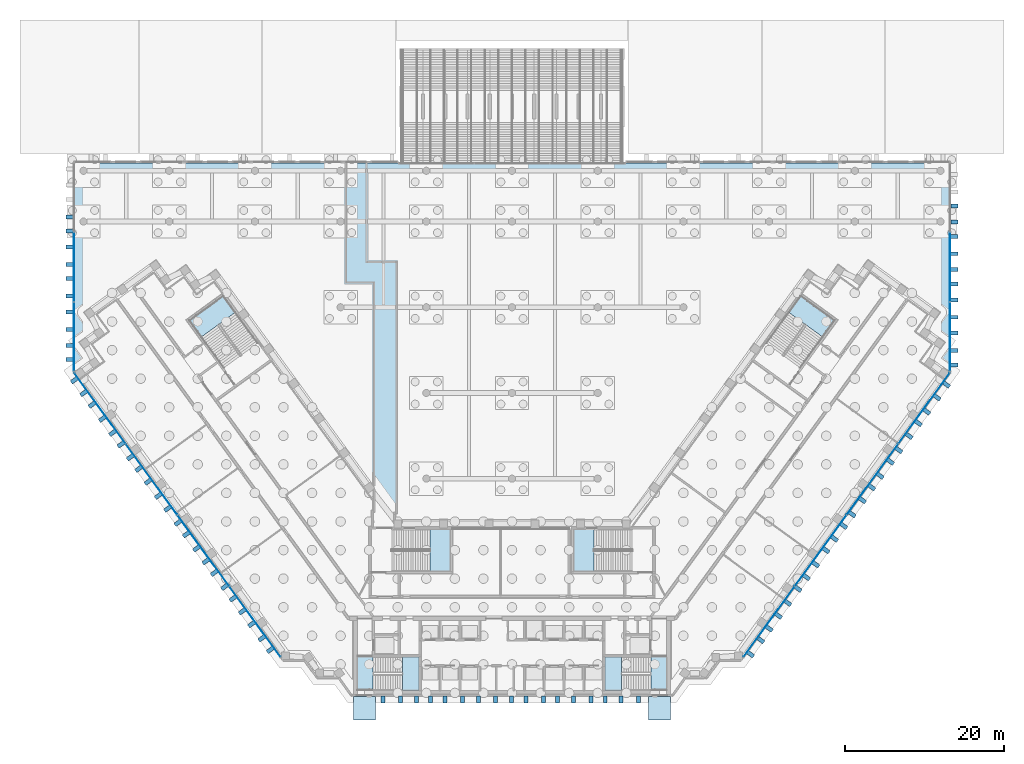
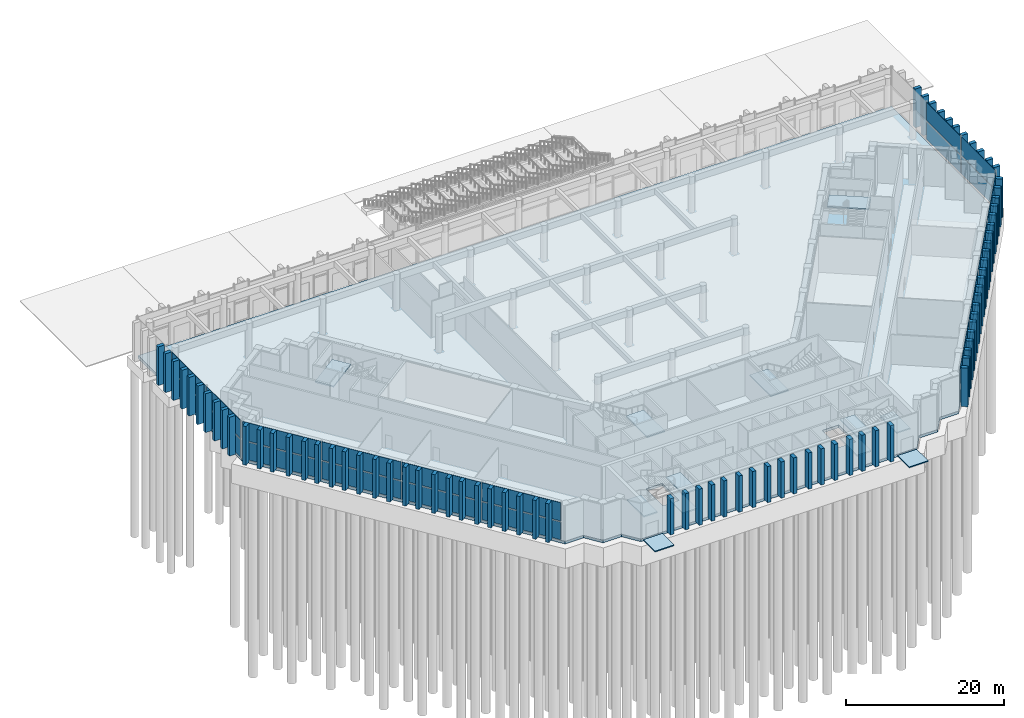
# One storey, part 13 of 32: 106 plates, 13 slabs, 10 elements without a shape of their own.
"""IFC4 building model written with IfcOpenShell, lengths in metres."""

from ifc_helpers import new_model, si_unit, direction, frame, origin, origin_2d, place, context, subcontext, project, spatial, polyline, rectangle, outline, extrude, material, layer, layer_set, type_object, element, aggregate, save


model = new_model("IFC4")

# Units and contexts
model_context = context("Model", 3, precision=1e-05, world=origin(), true_north=direction((0.0, 1.0)))
body_context = subcontext(model_context, "Body", "Model", "MODEL_VIEW")
ifc_project = project(units=[si_unit("LENGTHUNIT", "METRE"), si_unit("AREAUNIT", "SQUARE_METRE"), si_unit("VOLUMEUNIT", "CUBIC_METRE"), si_unit("PLANEANGLEUNIT", "RADIAN"), si_unit("MASSUNIT", "GRAM", prefix="KILO")], contexts=[model_context])

# Site, building, storey
site_placement = place(None, origin())
site = spatial("IfcSite", under=ifc_project, at=site_placement, CompositionType="ELEMENT")
building_placement = place(site_placement, origin())
building = spatial("IfcBuilding", under=site, at=building_placement, Name="Quipu Civic Tower", CompositionType="ELEMENT")
storey_placement = place(building_placement, origin())
storey = spatial("IfcBuildingStorey", under=building, at=storey_placement, Name="L00", CompositionType="ELEMENT", Elevation=0.0)

# Slabs
ifc_material_1 = material(Name="Precast concrete paving C30/37", Category="concrete")
slab_type_1 = type_object("IfcSlabType", Name="Forecourt paving", PredefinedType="USERDEFINED", material=ifc_material_1)
slab_1_placement = place(storey_placement, frame((0.0, 0.0, -0.14990234375)))
element("IfcSlab", 1, at=slab_1_placement, inside=storey, type_object=slab_type_1, Name="Exit apron paving 1", ObjectType="PAVING", PredefinedType="USERDEFINED", context=body_context, shape_type="SweptSolid", body=[
    extrude(outline(polyline([(-17.199951171875, -11.25), (-17.199951171875, -14.199951171875), (-20.0, -14.199951171875), (-20.0, -11.25), (-17.199951171875, -11.25)])), origin(), (0.0, 0.0, 1.0), 0.14990234375),
])
slab_2_placement = place(storey_placement, frame((0.0, 0.0, -0.14990234375)))
element("IfcSlab", 2, at=slab_2_placement, inside=storey, type_object=slab_type_1, Name="Exit apron paving 2", ObjectType="PAVING", PredefinedType="USERDEFINED", context=body_context, shape_type="SweptSolid", body=[
    extrude(outline(polyline([(20.0, -11.25), (20.0, -14.199951171875), (17.199951171875, -14.199951171875), (17.199951171875, -11.25), (20.0, -11.25)])), origin(), (0.0, 0.0, 1.0), 0.14990234375),
])

# Curtain wall, plates
ifc_material_2 = material(Name="Insulated glass unit", Category="glass")
curtain_wall_type = type_object("IfcCurtainWallType", Name="Hall glazing CW2", PredefinedType="NOTDEFINED", material=ifc_material_2)
curtain_wall_1_placement = place(storey_placement, origin())
curtain_wall_1 = element("IfcCurtainWall", 3, at=curtain_wall_1_placement, inside=storey, type_object=curtain_wall_type, Name="Hall glazing CW2 L00 run 1", PredefinedType="NOTDEFINED")
ifc_material_3 = material(Name="Insulated glass unit", Category="glass")
ifc_layer_1 = layer(ifc_material_3, 0.0439453125)
ifc_layer_set_1 = layer_set([ifc_layer_1], Name="Insulated glass unit")
plate_type_1 = type_object("IfcPlateType", Name="Glass panel CW2", PredefinedType="CURTAIN_PANEL", material=ifc_layer_set_1)
plate_1_placement = place(storey_placement, frame((32.390625, -1.830078125, 0.179931640625), z_axis=(0.0, 0.0, 1.0), x_axis=(0.587784444783, 0.809017581064, 0.0)))
plate_1 = element("IfcPlate", 4, at=plate_1_placement, type_object=plate_type_1, Name="CW2 panel 1.1", PredefinedType="CURTAIN_PANEL", context=body_context, shape_type="SweptSolid", body=[
    extrude(rectangle(XDim=10.896728515625, YDim=0.0439453125, at=origin_2d()), origin(), (0.0, 0.0, 1.0), 2.72998046875),
])
plate_2_placement = place(storey_placement, frame((32.390625, -1.830078125, 3.08984375), z_axis=(0.0, 0.0, 1.0), x_axis=(0.587784444783, 0.809017581064, 0.0)))
plate_2 = element("IfcPlate", 5, at=plate_2_placement, type_object=plate_type_1, Name="CW2 panel 1.2", PredefinedType="CURTAIN_PANEL", context=body_context, shape_type="SweptSolid", body=[
    extrude(rectangle(XDim=10.896728515625, YDim=0.0439453125, at=origin_2d()), origin(), (0.0, 0.0, 1.0), 2.820068359375),
])
plate_3_placement = place(storey_placement, frame((38.8984375, 7.127197265625, 0.179931640625), z_axis=(0.0, 0.0, 1.0), x_axis=(0.587784444783, 0.809017581064, 0.0)))
plate_3 = element("IfcPlate", 6, at=plate_3_placement, type_object=plate_type_1, Name="CW2 panel 2.1", PredefinedType="CURTAIN_PANEL", context=body_context, shape_type="SweptSolid", body=[
    extrude(rectangle(XDim=10.966796875, YDim=0.0439453125, at=origin_2d()), origin(), (0.0, 0.0, 1.0), 2.72998046875),
])
plate_4_placement = place(storey_placement, frame((38.8984375, 7.127197265625, 3.08984375), z_axis=(0.0, 0.0, 1.0), x_axis=(0.587784444783, 0.809017581064, 0.0)))
plate_4 = element("IfcPlate", 7, at=plate_4_placement, type_object=plate_type_1, Name="CW2 panel 2.2", PredefinedType="CURTAIN_PANEL", context=body_context, shape_type="SweptSolid", body=[
    extrude(rectangle(XDim=10.966796875, YDim=0.0439453125, at=origin_2d()), origin(), (0.0, 0.0, 1.0), 2.820068359375),
])
plate_5_placement = place(storey_placement, frame((45.427001953125, 16.11279296875, 0.179931640625), z_axis=(0.0, 0.0, 1.0), x_axis=(0.587784444783, 0.809017581064, 0.0)))
plate_5 = element("IfcPlate", 8, at=plate_5_placement, type_object=plate_type_1, Name="CW2 panel 3.1", PredefinedType="CURTAIN_PANEL", context=body_context, shape_type="SweptSolid", body=[
    extrude(rectangle(XDim=10.966796875, YDim=0.0439453125, at=origin_2d()), origin(), (0.0, 0.0, 1.0), 2.72998046875),
])
plate_6_placement = place(storey_placement, frame((45.427001953125, 16.11279296875, 3.08984375), z_axis=(0.0, 0.0, 1.0), x_axis=(0.587784444783, 0.809017581064, 0.0)))
plate_6 = element("IfcPlate", 9, at=plate_6_placement, type_object=plate_type_1, Name="CW2 panel 3.2", PredefinedType="CURTAIN_PANEL", context=body_context, shape_type="SweptSolid", body=[
    extrude(rectangle(XDim=10.966796875, YDim=0.0439453125, at=origin_2d()), origin(), (0.0, 0.0, 1.0), 2.820068359375),
])
plate_7_placement = place(storey_placement, frame((51.934814453125, 25.070068359375, 0.179931640625), z_axis=(0.0, 0.0, 1.0), x_axis=(0.587784444783, 0.809017581064, 0.0)))
plate_7 = element("IfcPlate", 10, at=plate_7_placement, type_object=plate_type_1, Name="CW2 panel 4.1", PredefinedType="CURTAIN_PANEL", context=body_context, shape_type="SweptSolid", body=[
    extrude(rectangle(XDim=10.896728515625, YDim=0.0439453125, at=origin_2d()), origin(), (0.0, 0.0, 1.0), 2.72998046875),
])
plate_8_placement = place(storey_placement, frame((51.934814453125, 25.070068359375, 3.08984375), z_axis=(0.0, 0.0, 1.0), x_axis=(0.587784444783, 0.809017581064, 0.0)))
plate_8 = element("IfcPlate", 11, at=plate_8_placement, type_object=plate_type_1, Name="CW2 panel 4.2", PredefinedType="CURTAIN_PANEL", context=body_context, shape_type="SweptSolid", body=[
    extrude(rectangle(XDim=10.896728515625, YDim=0.0439453125, at=origin_2d()), origin(), (0.0, 0.0, 1.0), 2.820068359375),
])
aggregate(curtain_wall_1, [plate_1, plate_2, plate_3, plate_4, plate_5, plate_6, plate_7, plate_8])

curtain_wall_2_placement = place(storey_placement, origin())
curtain_wall_2 = element("IfcCurtainWall", 12, at=curtain_wall_2_placement, inside=storey, type_object=curtain_wall_type, Name="Hall glazing CW2 L00 run 4", PredefinedType="NOTDEFINED")
plate_9_placement = place(storey_placement, frame((55.21435546875, 34.0869140625, 0.179931640625), z_axis=(0.0, 0.0, 1.0), x_axis=(0.0, 1.0, 0.0)))
plate_9 = element("IfcPlate", 13, at=plate_9_placement, type_object=plate_type_1, Name="CW2 panel 1.1", PredefinedType="CURTAIN_PANEL", context=body_context, shape_type="SweptSolid", body=[
    extrude(rectangle(XDim=8.609130859375, YDim=0.0439453125, at=origin_2d()), origin(), (0.0, 0.0, 1.0), 2.72998046875),
])
plate_10_placement = place(storey_placement, frame((55.21435546875, 34.0869140625, 3.08984375), z_axis=(0.0, 0.0, 1.0), x_axis=(0.0, 1.0, 0.0)))
plate_10 = element("IfcPlate", 14, at=plate_10_placement, type_object=plate_type_1, Name="CW2 panel 1.2", PredefinedType="CURTAIN_PANEL", context=body_context, shape_type="SweptSolid", body=[
    extrude(rectangle(XDim=8.609130859375, YDim=0.0439453125, at=origin_2d()), origin(), (0.0, 0.0, 1.0), 2.820068359375),
])
plate_11_placement = place(storey_placement, frame((55.21435546875, 42.87109375, 0.179931640625), z_axis=(0.0, 0.0, 1.0), x_axis=(0.0, 1.0, 0.0)))
plate_11 = element("IfcPlate", 15, at=plate_11_placement, type_object=plate_type_1, Name="CW2 panel 2.1", PredefinedType="CURTAIN_PANEL", context=body_context, shape_type="SweptSolid", body=[
    extrude(rectangle(XDim=8.67919921875, YDim=0.0439453125, at=origin_2d()), origin(), (0.0, 0.0, 1.0), 2.72998046875),
])
plate_12_placement = place(storey_placement, frame((55.21435546875, 42.87109375, 3.08984375), z_axis=(0.0, 0.0, 1.0), x_axis=(0.0, 1.0, 0.0)))
plate_12 = element("IfcPlate", 16, at=plate_12_placement, type_object=plate_type_1, Name="CW2 panel 2.2", PredefinedType="CURTAIN_PANEL", context=body_context, shape_type="SweptSolid", body=[
    extrude(rectangle(XDim=8.67919921875, YDim=0.0439453125, at=origin_2d()), origin(), (0.0, 0.0, 1.0), 2.820068359375),
])
aggregate(curtain_wall_2, [plate_9, plate_10, plate_11, plate_12])

curtain_wall_3_placement = place(storey_placement, origin())
curtain_wall_3 = element("IfcCurtainWall", 17, at=curtain_wall_3_placement, inside=storey, type_object=curtain_wall_type, Name="Hall glazing CW2 L00 run 32", PredefinedType="NOTDEFINED")
plate_13_placement = place(storey_placement, frame((-55.21435546875, 42.87109375, 0.179931640625), z_axis=(0.0, 0.0, 1.0), x_axis=(0.0, -1.0, 0.0)))
plate_13 = element("IfcPlate", 18, at=plate_13_placement, type_object=plate_type_1, Name="CW2 panel 2.1", PredefinedType="CURTAIN_PANEL", context=body_context, shape_type="SweptSolid", body=[
    extrude(rectangle(XDim=8.67919921875, YDim=0.0439453125, at=origin_2d()), origin(), (0.0, 0.0, 1.0), 2.72998046875),
])
plate_14_placement = place(storey_placement, frame((-55.21435546875, 42.87109375, 3.08984375), z_axis=(0.0, 0.0, 1.0), x_axis=(0.0, -1.0, 0.0)))
plate_14 = element("IfcPlate", 19, at=plate_14_placement, type_object=plate_type_1, Name="CW2 panel 2.2", PredefinedType="CURTAIN_PANEL", context=body_context, shape_type="SweptSolid", body=[
    extrude(rectangle(XDim=8.67919921875, YDim=0.0439453125, at=origin_2d()), origin(), (0.0, 0.0, 1.0), 2.820068359375),
])
plate_15_placement = place(storey_placement, frame((-55.21435546875, 34.0869140625, 0.179931640625), z_axis=(0.0, 0.0, 1.0), x_axis=(0.0, -1.0, 0.0)))
plate_15 = element("IfcPlate", 20, at=plate_15_placement, type_object=plate_type_1, Name="CW2 panel 3.1", PredefinedType="CURTAIN_PANEL", context=body_context, shape_type="SweptSolid", body=[
    extrude(rectangle(XDim=8.609130859375, YDim=0.0439453125, at=origin_2d()), origin(), (0.0, 0.0, 1.0), 2.72998046875),
])
plate_16_placement = place(storey_placement, frame((-55.21435546875, 34.0869140625, 3.08984375), z_axis=(0.0, 0.0, 1.0), x_axis=(0.0, -1.0, 0.0)))
plate_16 = element("IfcPlate", 21, at=plate_16_placement, type_object=plate_type_1, Name="CW2 panel 3.2", PredefinedType="CURTAIN_PANEL", context=body_context, shape_type="SweptSolid", body=[
    extrude(rectangle(XDim=8.609130859375, YDim=0.0439453125, at=origin_2d()), origin(), (0.0, 0.0, 1.0), 2.820068359375),
])
aggregate(curtain_wall_3, [plate_13, plate_14, plate_15, plate_16])

curtain_wall_4_placement = place(storey_placement, origin())
curtain_wall_4 = element("IfcCurtainWall", 22, at=curtain_wall_4_placement, inside=storey, type_object=curtain_wall_type, Name="Hall glazing CW2 L00 run 35", PredefinedType="NOTDEFINED")
plate_17_placement = place(storey_placement, frame((-51.934814453125, 25.070068359375, 0.179931640625), z_axis=(0.0, 0.0, 1.0), x_axis=(0.587784444783, -0.809017581064, 0.0)))
plate_17 = element("IfcPlate", 23, at=plate_17_placement, type_object=plate_type_1, Name="CW2 panel 1.1", PredefinedType="CURTAIN_PANEL", context=body_context, shape_type="SweptSolid", body=[
    extrude(rectangle(XDim=10.896728515625, YDim=0.0439453125, at=origin_2d()), origin(), (0.0, 0.0, 1.0), 2.72998046875),
])
plate_18_placement = place(storey_placement, frame((-51.934814453125, 25.070068359375, 3.08984375), z_axis=(0.0, 0.0, 1.0), x_axis=(0.587784444783, -0.809017581064, 0.0)))
plate_18 = element("IfcPlate", 24, at=plate_18_placement, type_object=plate_type_1, Name="CW2 panel 1.2", PredefinedType="CURTAIN_PANEL", context=body_context, shape_type="SweptSolid", body=[
    extrude(rectangle(XDim=10.896728515625, YDim=0.0439453125, at=origin_2d()), origin(), (0.0, 0.0, 1.0), 2.820068359375),
])
plate_19_placement = place(storey_placement, frame((-45.427001953125, 16.11279296875, 0.179931640625), z_axis=(0.0, 0.0, 1.0), x_axis=(0.587784444783, -0.809017581064, 0.0)))
plate_19 = element("IfcPlate", 25, at=plate_19_placement, type_object=plate_type_1, Name="CW2 panel 2.1", PredefinedType="CURTAIN_PANEL", context=body_context, shape_type="SweptSolid", body=[
    extrude(rectangle(XDim=10.966796875, YDim=0.0439453125, at=origin_2d()), origin(), (0.0, 0.0, 1.0), 2.72998046875),
])
plate_20_placement = place(storey_placement, frame((-45.427001953125, 16.11279296875, 3.08984375), z_axis=(0.0, 0.0, 1.0), x_axis=(0.587784444783, -0.809017581064, 0.0)))
plate_20 = element("IfcPlate", 26, at=plate_20_placement, type_object=plate_type_1, Name="CW2 panel 2.2", PredefinedType="CURTAIN_PANEL", context=body_context, shape_type="SweptSolid", body=[
    extrude(rectangle(XDim=10.966796875, YDim=0.0439453125, at=origin_2d()), origin(), (0.0, 0.0, 1.0), 2.820068359375),
])
plate_21_placement = place(storey_placement, frame((-38.8984375, 7.127197265625, 0.179931640625), z_axis=(0.0, 0.0, 1.0), x_axis=(0.587784444783, -0.809017581064, 0.0)))
plate_21 = element("IfcPlate", 27, at=plate_21_placement, type_object=plate_type_1, Name="CW2 panel 3.1", PredefinedType="CURTAIN_PANEL", context=body_context, shape_type="SweptSolid", body=[
    extrude(rectangle(XDim=10.966796875, YDim=0.0439453125, at=origin_2d()), origin(), (0.0, 0.0, 1.0), 2.72998046875),
])
plate_22_placement = place(storey_placement, frame((-38.8984375, 7.127197265625, 3.08984375), z_axis=(0.0, 0.0, 1.0), x_axis=(0.587784444783, -0.809017581064, 0.0)))
plate_22 = element("IfcPlate", 28, at=plate_22_placement, type_object=plate_type_1, Name="CW2 panel 3.2", PredefinedType="CURTAIN_PANEL", context=body_context, shape_type="SweptSolid", body=[
    extrude(rectangle(XDim=10.966796875, YDim=0.0439453125, at=origin_2d()), origin(), (0.0, 0.0, 1.0), 2.820068359375),
])
plate_23_placement = place(storey_placement, frame((-32.390625, -1.830078125, 0.179931640625), z_axis=(0.0, 0.0, 1.0), x_axis=(0.587784444783, -0.809017581064, 0.0)))
plate_23 = element("IfcPlate", 29, at=plate_23_placement, type_object=plate_type_1, Name="CW2 panel 4.1", PredefinedType="CURTAIN_PANEL", context=body_context, shape_type="SweptSolid", body=[
    extrude(rectangle(XDim=10.896728515625, YDim=0.0439453125, at=origin_2d()), origin(), (0.0, 0.0, 1.0), 2.72998046875),
])
plate_24_placement = place(storey_placement, frame((-32.390625, -1.830078125, 3.08984375), z_axis=(0.0, 0.0, 1.0), x_axis=(0.587784444783, -0.809017581064, 0.0)))
plate_24 = element("IfcPlate", 30, at=plate_24_placement, type_object=plate_type_1, Name="CW2 panel 4.2", PredefinedType="CURTAIN_PANEL", context=body_context, shape_type="SweptSolid", body=[
    extrude(rectangle(XDim=10.896728515625, YDim=0.0439453125, at=origin_2d()), origin(), (0.0, 0.0, 1.0), 2.820068359375),
])
aggregate(curtain_wall_4, [plate_17, plate_18, plate_19, plate_20, plate_21, plate_22, plate_23, plate_24])

# Slab
ifc_material_4 = material(Name="Concrete C40/50", Category="concrete")
ifc_layer_2 = layer(ifc_material_4, 0.39990234375)
ifc_layer_set_2 = layer_set([ifc_layer_2], Name="Concrete C40/50")
slab_type_2 = type_object("IfcSlabType", Name="Ground slab 400 C40/50", PredefinedType="BASESLAB", material=ifc_layer_set_2)
slab_3_placement = place(storey_placement, frame((0.0, 0.0, -0.39990234375)))
element("IfcSlab", 31, at=slab_3_placement, inside=storey, type_object=slab_type_2, Name="Ground slab L00", PredefinedType="BASESLAB", context=body_context, shape_type="SweptSolid", body=[
    extrude(outline(polyline([(24.489990234375, -8.81494140625), (21.7900390625, -8.81494140625), (20.205078125, -11.0), (-20.205078125, -11.0), (-21.7900390625, -8.81494140625), (-24.489990234375, -8.81494140625), (-26.080078125, -6.6298828125), (-28.780029296875, -6.6298828125), (-55.114990234375, 29.614990234375), (-55.094970703125, 29.739990234375), (-55.114990234375, 29.739990234375), (-55.114990234375, 56.0), (55.114990234375, 56.0), (55.114990234375, 29.739990234375), (55.094970703125, 29.739990234375), (55.114990234375, 29.614990234375), (28.780029296875, -6.6298828125), (26.080078125, -6.6298828125), (24.489990234375, -8.81494140625)]), holes=[polyline([(-11.699951171875, -1.699951171875), (-14.10009765625, -1.699951171875), (-14.10009765625, -6.0), (-11.699951171875, -6.0), (-11.699951171875, -1.699951171875)]), polyline([(14.10009765625, -1.699951171875), (11.699951171875, -1.699951171875), (11.699951171875, -6.0), (14.10009765625, -6.0), (14.10009765625, -1.699951171875)])]), origin(), (0.0, 0.0, 1.0), 0.39990234375),
])

# Plates
ifc_material_5 = material(Name="Precast concrete C40/50", Category="concrete")
plate_type_2 = type_object("IfcPlateType", Name="Precast fin F0", PredefinedType="SHEET", material=ifc_material_5)
for number, where, z_axis, x_axis, name in (
    (32, (30.079833984375, -5.946533203125, 0.0), (0.0, 0.0, 1.0), (0.587785716149, 0.809016657363, 0.0), "Precast fin F0 L00.1.1"),
    (33, (31.373046875, -4.16650390625, 0.0), (0.0, 0.0, 1.0), (0.587785716149, 0.809016657363, 0.0), "Precast fin F0 L00.1.2"),
    (34, (32.430908203125, -2.71044921875, 0.0), (0.0, 0.0, 1.0), (0.587785716149, 0.809016657363, 0.0), "Precast fin F0 L00.1.3"),
    (35, (33.6064453125, -1.09228515625, 0.0), (0.0, 0.0, 1.0), (0.587785716149, 0.809016657363, 0.0), "Precast fin F0 L00.1.4"),
    (36, (34.781982421875, 0.525634765625, 0.0), (0.0, 0.0, 1.0), (0.587785716149, 0.809016657363, 0.0), "Precast fin F0 L00.1.5"),
    (37, (36.0751953125, 2.305419921875, 0.0), (0.0, 0.0, 1.0), (0.587785716149, 0.809016657363, 0.0), "Precast fin F0 L00.1.6"),
    (38, (37.13330078125, 3.76171875, 0.0), (0.0, 0.0, 1.0), (0.587785716149, 0.809016657363, 0.0), "Precast fin F0 L00.1.7"),
    (39, (38.308837890625, 5.3798828125, 0.0), (0.0, 0.0, 1.0), (0.587785716149, 0.809016657363, 0.0), "Precast fin F0 L00.1.8"),
    (40, (39.60205078125, 7.15966796875, 0.0), (0.0, 0.0, 1.0), (0.587785716149, 0.809016657363, 0.0), "Precast fin F0 L00.1.9"),
    (41, (40.659912109375, 8.61572265625, 0.0), (0.0, 0.0, 1.0), (0.587785716149, 0.809016657363, 0.0), "Precast fin F0 L00.1.10"),
    (42, (41.83544921875, 10.23388671875, 0.0), (0.0, 0.0, 1.0), (0.587785716149, 0.809016657363, 0.0), "Precast fin F0 L00.1.11"),
    (43, (42.8935546875, 11.690185546875, 0.0), (0.0, 0.0, 1.0), (0.587785716149, 0.809016657363, 0.0), "Precast fin F0 L00.1.12"),
    (44, (44.186767578125, 13.469970703125, 0.0), (0.0, 0.0, 1.0), (0.587785716149, 0.809016657363, 0.0), "Precast fin F0 L00.1.13"),
    (45, (45.3623046875, 15.087890625, 0.0), (0.0, 0.0, 1.0), (0.587785716149, 0.809016657363, 0.0), "Precast fin F0 L00.1.14"),
    (46, (46.420166015625, 16.544189453125, 0.0), (0.0, 0.0, 1.0), (0.587785716149, 0.809016657363, 0.0), "Precast fin F0 L00.1.15"),
    (47, (47.71337890625, 18.323974609375, 0.0), (0.0, 0.0, 1.0), (0.587785716149, 0.809016657363, 0.0), "Precast fin F0 L00.1.16"),
    (48, (48.771484375, 19.7802734375, 0.0), (0.0, 0.0, 1.0), (0.587785716149, 0.809016657363, 0.0), "Precast fin F0 L00.1.17"),
    (49, (50.064453125, 21.56005859375, 0.0), (0.0, 0.0, 1.0), (0.587785716149, 0.809016657363, 0.0), "Precast fin F0 L00.1.18"),
    (50, (51.239990234375, 23.17822265625, 0.0), (0.0, 0.0, 1.0), (0.587785716149, 0.809016657363, 0.0), "Precast fin F0 L00.1.19"),
    (51, (52.298095703125, 24.63427734375, 0.0), (0.0, 0.0, 1.0), (0.587785716149, 0.809016657363, 0.0), "Precast fin F0 L00.1.20"),
    (52, (53.59130859375, 26.414306640625, 0.0), (0.0, 0.0, 1.0), (0.587785716149, 0.809016657363, 0.0), "Precast fin F0 L00.1.21"),
    (53, (54.766845703125, 28.0322265625, 0.0), (0.0, 0.0, 1.0), (0.587785716149, 0.809016657363, 0.0), "Precast fin F0 L00.1.22"),
    (54, (55.764404296875, 30.54248046875, 0.0), (0.0, 0.0, 1.0), (0.0, 1.0, 0.0), "Precast fin F0 L00.4.1"),
    (55, (55.764404296875, 32.34228515625, 0.0), (0.0, 0.0, 1.0), (0.0, 1.0, 0.0), "Precast fin F0 L00.4.2"),
    (56, (55.764404296875, 34.54248046875, 0.0), (0.0, 0.0, 1.0), (0.0, 1.0, 0.0), "Precast fin F0 L00.4.3"),
    (57, (55.764404296875, 36.54248046875, 0.0), (0.0, 0.0, 1.0), (0.0, 1.0, 0.0), "Precast fin F0 L00.4.4"),
    (58, (55.764404296875, 38.742431640625, 0.0), (0.0, 0.0, 1.0), (0.0, 1.0, 0.0), "Precast fin F0 L00.4.5"),
    (59, (55.764404296875, 40.742431640625, 0.0), (0.0, 0.0, 1.0), (0.0, 1.0, 0.0), "Precast fin F0 L00.4.6"),
    (60, (55.764404296875, 42.54248046875, 0.0), (0.0, 0.0, 1.0), (0.0, 1.0, 0.0), "Precast fin F0 L00.4.7"),
    (61, (55.764404296875, 44.54248046875, 0.0), (0.0, 0.0, 1.0), (0.0, 1.0, 0.0), "Precast fin F0 L00.4.8"),
    (62, (55.764404296875, 46.742431640625, 0.0), (0.0, 0.0, 1.0), (0.0, 1.0, 0.0), "Precast fin F0 L00.4.9"),
    (63, (55.764404296875, 48.54248046875, 0.0), (0.0, 0.0, 1.0), (0.0, 1.0, 0.0), "Precast fin F0 L00.4.10"),
    (64, (55.764404296875, 50.54248046875, 0.0), (0.0, 0.0, 1.0), (0.0, 1.0, 0.0), "Precast fin F0 L00.4.11"),
    (65, (-55.764404296875, 49.199951171875, 0.0), (0.0, 0.0, 1.0), (0.0, -1.0, 0.0), "Precast fin F0 L00.32.4"),
    (66, (-55.764404296875, 47.39990234375, 0.0), (0.0, 0.0, 1.0), (0.0, -1.0, 0.0), "Precast fin F0 L00.32.5"),
    (67, (-55.764404296875, 45.39990234375, 0.0), (0.0, 0.0, 1.0), (0.0, -1.0, 0.0), "Precast fin F0 L00.32.6"),
    (68, (-55.764404296875, 43.199951171875, 0.0), (0.0, 0.0, 1.0), (0.0, -1.0, 0.0), "Precast fin F0 L00.32.7"),
    (69, (-55.764404296875, 41.39990234375, 0.0), (0.0, 0.0, 1.0), (0.0, -1.0, 0.0), "Precast fin F0 L00.32.8"),
    (70, (-55.764404296875, 39.199951171875, 0.0), (0.0, 0.0, 1.0), (0.0, -1.0, 0.0), "Precast fin F0 L00.32.9"),
    (71, (-55.764404296875, 37.199951171875, 0.0), (0.0, 0.0, 1.0), (0.0, -1.0, 0.0), "Precast fin F0 L00.32.10"),
    (72, (-55.764404296875, 35.0, 0.0), (0.0, 0.0, 1.0), (0.0, -1.0, 0.0), "Precast fin F0 L00.32.11"),
    (73, (-55.764404296875, 33.0, 0.0), (0.0, 0.0, 1.0), (0.0, -1.0, 0.0), "Precast fin F0 L00.32.12"),
    (74, (-55.764404296875, 31.199951171875, 0.0), (0.0, 0.0, 1.0), (0.0, -1.0, 0.0), "Precast fin F0 L00.32.13"),
    (75, (-55.169921875, 28.587158203125, 0.0), (0.0, 0.0, 1.0), (0.587785716149, -0.809016657363, 0.0), "Precast fin F0 L00.35.1"),
    (76, (-53.994384765625, 26.96923828125, 0.0), (0.0, 0.0, 1.0), (0.587785716149, -0.809016657363, 0.0), "Precast fin F0 L00.35.2"),
    (77, (-52.9365234375, 25.512939453125, 0.0), (0.0, 0.0, 1.0), (0.587785716149, -0.809016657363, 0.0), "Precast fin F0 L00.35.3"),
    (78, (-51.643310546875, 23.733154296875, 0.0), (0.0, 0.0, 1.0), (0.587785716149, -0.809016657363, 0.0), "Precast fin F0 L00.35.4"),
    (79, (-50.35009765625, 21.953369140625, 0.0), (0.0, 0.0, 1.0), (0.587785716149, -0.809016657363, 0.0), "Precast fin F0 L00.35.5"),
    (80, (-49.292236328125, 20.4970703125, 0.0), (0.0, 0.0, 1.0), (0.587785716149, -0.809016657363, 0.0), "Precast fin F0 L00.35.6"),
    (81, (-48.11669921875, 18.87890625, 0.0), (0.0, 0.0, 1.0), (0.587785716149, -0.809016657363, 0.0), "Precast fin F0 L00.35.7"),
    (82, (-47.05859375, 17.4228515625, 0.0), (0.0, 0.0, 1.0), (0.587785716149, -0.809016657363, 0.0), "Precast fin F0 L00.35.8"),
    (83, (-45.883056640625, 15.8046875, 0.0), (0.0, 0.0, 1.0), (0.587785716149, -0.809016657363, 0.0), "Precast fin F0 L00.35.9"),
    (84, (-44.58984375, 14.02490234375, 0.0), (0.0, 0.0, 1.0), (0.587785716149, -0.809016657363, 0.0), "Precast fin F0 L00.35.10"),
    (85, (-43.414306640625, 12.406982421875, 0.0), (0.0, 0.0, 1.0), (0.587785716149, -0.809016657363, 0.0), "Precast fin F0 L00.35.11"),
    (86, (-42.12109375, 10.626953125, 0.0), (0.0, 0.0, 1.0), (0.587785716149, -0.809016657363, 0.0), "Precast fin F0 L00.35.12"),
    (87, (-41.063232421875, 9.1708984375, 0.0), (0.0, 0.0, 1.0), (0.587785716149, -0.809016657363, 0.0), "Precast fin F0 L00.35.13"),
    (88, (-39.77001953125, 7.390869140625, 0.0), (0.0, 0.0, 1.0), (0.587785716149, -0.809016657363, 0.0), "Precast fin F0 L00.35.14"),
    (89, (-38.594482421875, 5.77294921875, 0.0), (0.0, 0.0, 1.0), (0.587785716149, -0.809016657363, 0.0), "Precast fin F0 L00.35.15"),
    (90, (-37.536376953125, 4.316650390625, 0.0), (0.0, 0.0, 1.0), (0.587785716149, -0.809016657363, 0.0), "Precast fin F0 L00.35.16"),
    (91, (-36.243408203125, 2.536865234375, 0.0), (0.0, 0.0, 1.0), (0.587785716149, -0.809016657363, 0.0), "Precast fin F0 L00.35.17"),
    (92, (-35.185302734375, 1.08056640625, 0.0), (0.0, 0.0, 1.0), (0.587785716149, -0.809016657363, 0.0), "Precast fin F0 L00.35.18"),
    (93, (-34.009765625, -0.537353515625, 0.0), (0.0, 0.0, 1.0), (0.587785716149, -0.809016657363, 0.0), "Precast fin F0 L00.35.19"),
    (94, (-32.834228515625, -2.155517578125, 0.0), (0.0, 0.0, 1.0), (0.587785716149, -0.809016657363, 0.0), "Precast fin F0 L00.35.20"),
    (95, (-31.541015625, -3.935302734375, 0.0), (0.0, 0.0, 1.0), (0.587785716149, -0.809016657363, 0.0), "Precast fin F0 L00.35.21"),
    (96, (-30.48291015625, -5.391357421875, 0.0), (0.0, 0.0, 1.0), (0.587785716149, -0.809016657363, 0.0), "Precast fin F0 L00.35.22"),
):
    element("IfcPlate", number, at=place(storey_placement, frame(where, z_axis=z_axis, x_axis=x_axis)), inside=storey, type_object=plate_type_2, Name=name, PredefinedType="SHEET", context=body_context, shape_type="SweptSolid", body=[
        extrude(rectangle(XDim=0.5, YDim=0.89990234375, at=origin_2d()), origin(), (0.0, 0.0, 1.0), 6.0),
    ])
for number, where, z_axis, x_axis, name in (
    (97, (-16.25, -11.637939453125, 0.0), (0.0, 0.0, 1.0), (1.0, 0.0, 0.0), "Precast fin F0 L00.43.1"),
    (98, (-14.050048828125, -11.637939453125, 0.0), (0.0, 0.0, 1.0), (1.0, 0.0, 0.0), "Precast fin F0 L00.43.2"),
    (99, (-12.050048828125, -11.637939453125, 0.0), (0.0, 0.0, 1.0), (1.0, 0.0, 0.0), "Precast fin F0 L00.43.3"),
    (100, (-10.25, -11.637939453125, 0.0), (0.0, 0.0, 1.0), (1.0, 0.0, 0.0), "Precast fin F0 L00.43.4"),
    (101, (-8.449951171875, -11.637939453125, 0.0), (0.0, 0.0, 1.0), (1.0, 0.0, 0.0), "Precast fin F0 L00.43.5"),
    (102, (-6.25, -11.637939453125, 0.0), (0.0, 0.0, 1.0), (1.0, 0.0, 0.0), "Precast fin F0 L00.43.6"),
    (103, (-4.25, -11.637939453125, 0.0), (0.0, 0.0, 1.0), (1.0, 0.0, 0.0), "Precast fin F0 L00.43.7"),
    (104, (-2.050048828125, -11.637939453125, 0.0), (0.0, 0.0, 1.0), (1.0, 0.0, 0.0), "Precast fin F0 L00.43.8"),
    (105, (-0.050048828125, -11.637939453125, 0.0), (0.0, 0.0, 1.0), (1.0, 0.0, 0.0), "Precast fin F0 L00.43.9"),
    (106, (1.75, -11.637939453125, 0.0), (0.0, 0.0, 1.0), (1.0, 0.0, 0.0), "Precast fin F0 L00.43.10"),
    (107, (3.949951171875, -11.637939453125, 0.0), (0.0, 0.0, 1.0), (1.0, 0.0, 0.0), "Precast fin F0 L00.43.11"),
    (108, (5.75, -11.637939453125, 0.0), (0.0, 0.0, 1.0), (1.0, 0.0, 0.0), "Precast fin F0 L00.43.12"),
    (109, (7.75, -11.637939453125, 0.0), (0.0, 0.0, 1.0), (1.0, 0.0, 0.0), "Precast fin F0 L00.43.13"),
    (110, (9.949951171875, -11.637939453125, 0.0), (0.0, 0.0, 1.0), (1.0, 0.0, 0.0), "Precast fin F0 L00.43.14"),
    (111, (11.75, -11.637939453125, 0.0), (0.0, 0.0, 1.0), (1.0, 0.0, 0.0), "Precast fin F0 L00.43.15"),
    (112, (13.75, -11.637939453125, 0.0), (0.0, 0.0, 1.0), (1.0, 0.0, 0.0), "Precast fin F0 L00.43.16"),
    (113, (15.949951171875, -11.637939453125, 0.0), (0.0, 0.0, 1.0), (1.0, 0.0, 0.0), "Precast fin F0 L00.43.17"),
):
    element("IfcPlate", number, at=place(storey_placement, frame(where, z_axis=z_axis, x_axis=x_axis)), inside=storey, type_object=plate_type_2, Name=name, PredefinedType="SHEET", context=body_context, shape_type="SweptSolid", body=[
        extrude(rectangle(XDim=0.5, YDim=0.89990234375, at=origin_2d()), origin(), (0.0, 0.0, 1.0), 5.60009765625),
    ])

# Stair, slabs
ifc_material_6 = material(Name="Concrete C40/50", Category="concrete")
stair_type_1 = type_object("IfcStairType", Name="Half turn stair 2000", PredefinedType="HALF_TURN_STAIR", material=ifc_material_6)
stair_1_placement = place(storey_placement, origin())
stair_1 = element("IfcStair", 114, at=stair_1_placement, inside=storey, type_object=stair_type_1, Name="Exit stair 1", PredefinedType="HALF_TURN_STAIR")
ifc_material_7 = material(Name="Concrete C40/50", Category="concrete")
ifc_layer_3 = layer(ifc_material_7, 0.199951171875)
ifc_layer_set_3 = layer_set([ifc_layer_3], Name="Concrete C40/50")
slab_type_3 = type_object("IfcSlabType", Name="Stair landing 200", PredefinedType="LANDING", material=ifc_layer_set_3)
slab_4_placement = place(storey_placement, frame((0.0, 0.0, 1.300048828125)))
slab_4 = element("IfcSlab", 115, at=slab_4_placement, type_object=slab_type_3, Name="ST-1 landing 1", PredefinedType="LANDING", context=body_context, shape_type="SweptSolid", body=[
    extrude(outline(polyline([(-13.780029296875, -10.5), (-11.699951171875, -10.5), (-11.699951171875, -6.25), (-13.780029296875, -6.25), (-13.780029296875, -10.5)])), origin(), (0.0, 0.0, 1.0), 0.199951171875),
])
slab_5_placement = place(storey_placement, frame((0.0, 0.0, 2.800048828125)))
slab_5 = element("IfcSlab", 116, at=slab_5_placement, type_object=slab_type_3, Name="ST-1 landing 2", PredefinedType="LANDING", context=body_context, shape_type="SweptSolid", body=[
    extrude(outline(polyline([(-19.5, -10.5), (-17.5, -10.5), (-17.5, -6.25), (-19.5, -6.25), (-19.5, -10.5)])), origin(), (0.0, 0.0, 1.0), 0.199951171875),
])
slab_6_placement = place(storey_placement, frame((0.0, 0.0, 4.300048828125)))
slab_6 = element("IfcSlab", 117, at=slab_6_placement, type_object=slab_type_3, Name="ST-1 landing 3", PredefinedType="LANDING", context=body_context, shape_type="SweptSolid", body=[
    extrude(outline(polyline([(-13.780029296875, -10.5), (-11.699951171875, -10.5), (-11.699951171875, -6.25), (-13.780029296875, -6.25), (-13.780029296875, -10.5)])), origin(), (0.0, 0.0, 1.0), 0.199951171875),
])
aggregate(stair_1, [slab_4, slab_5, slab_6])

stair_2_placement = place(storey_placement, origin())
stair_2 = element("IfcStair", 118, at=stair_2_placement, inside=storey, type_object=stair_type_1, Name="Exit stair 2", PredefinedType="HALF_TURN_STAIR")
slab_7_placement = place(storey_placement, frame((0.0, 0.0, 1.300048828125)))
slab_7 = element("IfcSlab", 119, at=slab_7_placement, type_object=slab_type_3, Name="ST-2 landing 1", PredefinedType="LANDING", context=body_context, shape_type="SweptSolid", body=[
    extrude(outline(polyline([(13.780029296875, -6.25), (11.699951171875, -6.25), (11.699951171875, -10.5), (13.780029296875, -10.5), (13.780029296875, -6.25)])), origin(), (0.0, 0.0, 1.0), 0.199951171875),
])
slab_8_placement = place(storey_placement, frame((0.0, 0.0, 2.800048828125)))
slab_8 = element("IfcSlab", 120, at=slab_8_placement, type_object=slab_type_3, Name="ST-2 landing 2", PredefinedType="LANDING", context=body_context, shape_type="SweptSolid", body=[
    extrude(outline(polyline([(19.5, -6.25), (17.5, -6.25), (17.5, -10.5), (19.5, -10.5), (19.5, -6.25)])), origin(), (0.0, 0.0, 1.0), 0.199951171875),
])
slab_9_placement = place(storey_placement, frame((0.0, 0.0, 4.300048828125)))
slab_9 = element("IfcSlab", 121, at=slab_9_placement, type_object=slab_type_3, Name="ST-2 landing 3", PredefinedType="LANDING", context=body_context, shape_type="SweptSolid", body=[
    extrude(outline(polyline([(13.780029296875, -6.25), (11.699951171875, -6.25), (11.699951171875, -10.5), (13.780029296875, -10.5), (13.780029296875, -6.25)])), origin(), (0.0, 0.0, 1.0), 0.199951171875),
])
aggregate(stair_2, [slab_7, slab_8, slab_9])

# Stair, slab
ifc_material_8 = material(Name="Concrete C40/50", Category="concrete")
stair_type_2 = type_object("IfcStairType", Name="Half turn stair 2600", PredefinedType="HALF_TURN_STAIR", material=ifc_material_8)
stair_3_placement = place(storey_placement, origin())
stair_3 = element("IfcStair", 122, at=stair_3_placement, inside=storey, type_object=stair_type_2, Name="Exit stair 3", PredefinedType="HALF_TURN_STAIR")
slab_10_placement = place(storey_placement, frame((0.0, 0.0, 2.800048828125)))
slab_10 = element("IfcSlab", 123, at=slab_10_placement, type_object=slab_type_3, Name="ST-3 landing 1", PredefinedType="LANDING", context=body_context, shape_type="SweptSolid", body=[
    extrude(outline(polyline([(-10.35009765625, 4.5), (-7.75, 4.5), (-7.75, 9.85009765625), (-10.35009765625, 9.85009765625), (-10.35009765625, 4.5)])), origin(), (0.0, 0.0, 1.0), 0.199951171875),
])
aggregate(stair_3, [slab_10])

stair_4_placement = place(storey_placement, origin())
stair_4 = element("IfcStair", 124, at=stair_4_placement, inside=storey, type_object=stair_type_2, Name="Exit stair 4", PredefinedType="HALF_TURN_STAIR")
slab_11_placement = place(storey_placement, frame((0.0, 0.0, 2.800048828125)))
slab_11 = element("IfcSlab", 125, at=slab_11_placement, type_object=slab_type_3, Name="ST-4 landing 1", PredefinedType="LANDING", context=body_context, shape_type="SweptSolid", body=[
    extrude(outline(polyline([(10.35009765625, 9.85009765625), (7.75, 9.85009765625), (7.75, 4.5), (10.35009765625, 4.5), (10.35009765625, 9.85009765625)])), origin(), (0.0, 0.0, 1.0), 0.199951171875),
])
aggregate(stair_4, [slab_11])

stair_5_placement = place(storey_placement, origin())
stair_5 = element("IfcStair", 126, at=stair_5_placement, inside=storey, type_object=stair_type_2, Name="Exit stair 6", PredefinedType="HALF_TURN_STAIR")
slab_12_placement = place(storey_placement, frame((0.0, 0.0, 2.800048828125)))
slab_12 = element("IfcSlab", 127, at=slab_12_placement, type_object=slab_type_3, Name="ST-6 landing 1", PredefinedType="LANDING", context=body_context, shape_type="SweptSolid", body=[
    extrude(outline(polyline([(-34.837158203125, 37.179443359375), (-36.365478515625, 39.282958984375), (-40.69384765625, 36.138427734375), (-39.16552734375, 34.034912109375), (-34.837158203125, 37.179443359375)])), origin(), (0.0, 0.0, 1.0), 0.199951171875),
])
aggregate(stair_5, [slab_12])

stair_6_placement = place(storey_placement, origin())
stair_6 = element("IfcStair", 128, at=stair_6_placement, inside=storey, type_object=stair_type_2, Name="Exit stair 7", PredefinedType="HALF_TURN_STAIR")
slab_13_placement = place(storey_placement, frame((0.0, 0.0, 2.800048828125)))
slab_13 = element("IfcSlab", 129, at=slab_13_placement, type_object=slab_type_3, Name="ST-7 landing 1", PredefinedType="LANDING", context=body_context, shape_type="SweptSolid", body=[
    extrude(outline(polyline([(39.16552734375, 34.034912109375), (40.69384765625, 36.138427734375), (36.365478515625, 39.282958984375), (34.837158203125, 37.179443359375), (39.16552734375, 34.034912109375)])), origin(), (0.0, 0.0, 1.0), 0.199951171875),
])
aggregate(stair_6, [slab_13])

save(model, "model.ifc")
